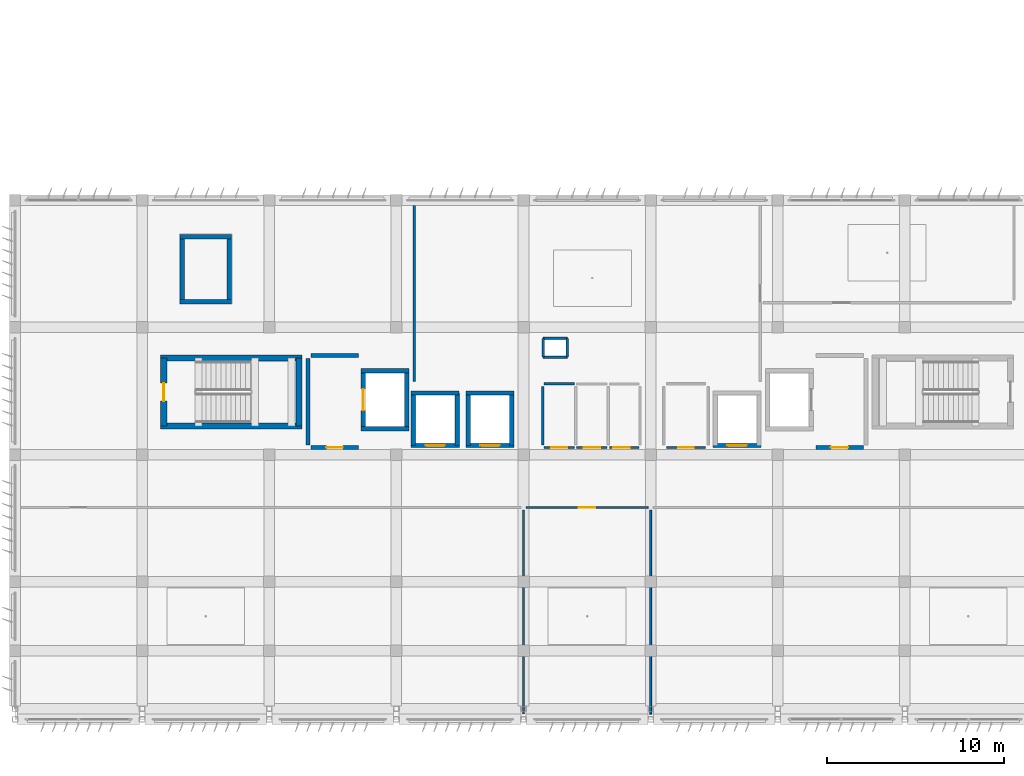
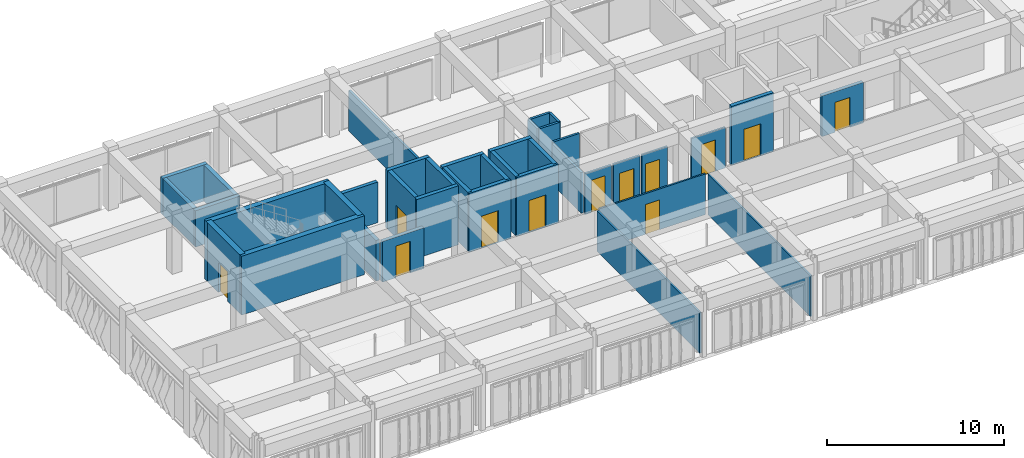
# One storey, part 34 of 53: 39 walls, 12 doors, 12 openings.
"""IFC4 building model written with IfcOpenShell, lengths in metres."""

from ifc_helpers import new_model, si_unit, direction, frame, frame_2d, origin, place, context, subcontext, project, spatial, rectangle, extrude, material, layer, layer_set, type_object, element, fill, save


model = new_model("IFC4")

# Units and contexts
model_context = context("Model", 3, precision=1e-05, world=origin(), true_north=direction((0.0, 1.0)))
body_context = subcontext(model_context, "Body", "Model", "MODEL_VIEW")
ifc_project = project(units=[si_unit("LENGTHUNIT", "METRE"), si_unit("AREAUNIT", "SQUARE_METRE"), si_unit("VOLUMEUNIT", "CUBIC_METRE"), si_unit("PLANEANGLEUNIT", "RADIAN"), si_unit("MASSUNIT", "GRAM", prefix="KILO")], contexts=[model_context])

# Site, building, storey
site_placement = place(None, origin())
site = spatial("IfcSite", under=ifc_project, at=site_placement, CompositionType="ELEMENT")
building_placement = place(site_placement, origin())
building = spatial("IfcBuilding", under=site, at=building_placement, Name="Kazehaya Institute of Natural Sciences", CompositionType="ELEMENT")
storey_placement = place(building_placement, frame((0.0, 0.0, 33.300048828125)))
storey = spatial("IfcBuildingStorey", under=building, at=storey_placement, Name="L07", CompositionType="ELEMENT", Elevation=33.300048828125)

# Walls
ifc_material_1 = material(Name="Concrete Fc42", Category="concrete")
ifc_layer_1 = layer(ifc_material_1, 0.35009765625, Name="Concrete Fc42", Category="concrete")
ifc_layer_set_1 = layer_set([ifc_layer_1], Name="Concrete Fc42")
wall_type_1 = type_object("IfcWallType", Name="WL-CORE-350", PredefinedType="SHEAR", material=ifc_layer_set_1)
for number, where, z_axis, x_axis, name in (
    (1, (70.85498046875, 22.820068359375, 0.0), (0.0, 0.0, 1.0), (-1.0, 0.0, 0.0), "L07 ST-1 core wall S"),
    (2, (62.844970703125, 26.659912109375, 0.0), (0.0, 0.0, 1.0), (1.0, 0.0, 0.0), "L07 ST-1 core wall N"),
):
    element("IfcWall", number, at=place(storey_placement, frame(where, z_axis=z_axis, x_axis=x_axis)), inside=storey, type_object=wall_type_1, Name=name, PredefinedType="SHEAR", context=body_context, shape_type="SweptSolid", body=[
        extrude(rectangle(XDim=8.010009765625, YDim=0.35009765625, at=frame_2d((4.0048828125, 0.0))), origin(), (0.0, 0.0, 1.0), 4.050048828125),
    ])

# Wall, opening, door
wall_1_placement = place(storey_placement, frame((63.02001953125, 22.820068359375, 0.0), z_axis=(0.0, 0.0, 1.0), x_axis=(0.0, 1.0, 0.0)))
wall_1 = element("IfcWall", 3, at=wall_1_placement, inside=storey, type_object=wall_type_1, Name="L07 ST-1 core wall W", PredefinedType="SHEAR", context=body_context, shape_type="SweptSolid", body=[
    extrude(rectangle(XDim=3.83984375, YDim=0.35009765625, at=frame_2d((1.919921875, 0.0))), origin(), (0.0, 0.0, 1.0), 4.050048828125),
])
opening_1_placement = place(wall_1_placement, frame((1.409912109375, 0.0, 0.0)))
opening_1 = element("IfcOpeningElement", 4, at=opening_1_placement, cuts=wall_1, Name="Opening D-ST-009", PredefinedType="OPENING", context=body_context, shape_type="SweptSolid", body=[
    extrude(rectangle(XDim=1.02001953125, YDim=2.06005859375, at=frame_2d((0.510009765625, 1.030029296875))), frame((0.0, 0.18505859375, 0.0), z_axis=(0.0, -1.0, 0.0), x_axis=(1.0, 0.0, 0.0)), (0.0, 0.0, 1.0), 0.3701171875),
])
ifc_material_2 = material(Name="Fire-rated steel acoustic door", Category="steel")
door_type_1 = type_object("IfcDoorType", Name="DT-FD-10", OperationType="NOTDEFINED", PredefinedType="DOOR", material=ifc_material_2)
door_1_placement = place(opening_1_placement, origin())
door_1 = element("IfcDoor", 5, at=door_1_placement, inside=storey, type_object=door_type_1, Name="L07 ST-1 stair enclosure door D-ST-009", OperationType="SINGLE_SWING_LEFT", OverallHeight=2.06005859375, OverallWidth=1.02001953125, PredefinedType="DOOR", context=body_context, shape_type="SweptSolid", body=[
    extrude(rectangle(XDim=1.02001953125, YDim=2.06005859375, at=frame_2d((0.510009765625, 1.030029296875))), frame((0.0, 0.02490234375, 0.0), z_axis=(0.0, -1.0, 0.0), x_axis=(1.0, 0.0, 0.0)), (0.0, 0.0, 1.0), 0.050048828125),
])
fill(opening_1, door_1)

# Wall
wall_2_placement = place(storey_placement, frame((70.679931640625, 26.659912109375, 0.0), z_axis=(0.0, 0.0, 1.0), x_axis=(0.0, -1.0, 0.0)))
element("IfcWall", 6, at=wall_2_placement, inside=storey, type_object=wall_type_1, Name="L07 ST-1 core wall E", PredefinedType="SHEAR", context=body_context, shape_type="SweptSolid", body=[
    extrude(rectangle(XDim=3.83984375, YDim=0.35009765625, at=frame_2d((1.919921875, 0.0))), origin(), (0.0, 0.0, 1.0), 4.050048828125),
])

# Wall, opening, door
ifc_material_3 = material(Name="Concrete Fc36", Category="concrete")
ifc_layer_2 = layer(ifc_material_3, 0.22998046875, Name="Concrete Fc36", Category="concrete")
ifc_layer_set_2 = layer_set([ifc_layer_2], Name="Concrete Fc36")
wall_type_2 = type_object("IfcWallType", Name="WL-FFL-230", PredefinedType="PARTITIONING", material=ifc_layer_set_2)
wall_3_placement = place(storey_placement, frame((74.050048828125, 21.60009765625, 0.0), z_axis=(0.0, 0.0, 1.0), x_axis=(-1.0, 0.0, 0.0)))
wall_3 = element("IfcWall", 7, at=wall_3_placement, inside=storey, type_object=wall_type_2, Name="L07 West Firefighting Lift Lobby partition IW-L07-0325", PredefinedType="PARTITIONING", context=body_context, shape_type="SweptSolid", body=[
    extrude(rectangle(XDim=2.699951171875, YDim=0.22998046875, at=frame_2d((1.35009765625, 0.0))), origin(), (0.0, 0.0, 1.0), 2.800048828125),
])
opening_2_placement = place(wall_3_placement, frame((0.8798828125, 0.0, 0.0)))
opening_2 = element("IfcOpeningElement", 8, at=opening_2_placement, cuts=wall_3, Name="Opening D-L07-0184", PredefinedType="OPENING", context=body_context, shape_type="SweptSolid", body=[
    extrude(rectangle(XDim=0.93994140625, YDim=2.179931640625, at=frame_2d((0.469970703125, 1.08984375))), frame((0.0, 0.125, 0.0), z_axis=(0.0, -1.0, 0.0), x_axis=(1.0, 0.0, 0.0)), (0.0, 0.0, 1.0), 0.25),
])
door_type_2 = type_object("IfcDoorType", Name="DT-FD-06", OperationType="NOTDEFINED", PredefinedType="DOOR", material=ifc_material_2)
door_2_placement = place(opening_2_placement, origin())
door_2 = element("IfcDoor", 9, at=door_2_placement, inside=storey, type_object=door_type_2, Name="L07 West Firefighting Lift Lobby door D-L07-0184", OperationType="SINGLE_SWING_LEFT", OverallHeight=2.179931640625, OverallWidth=0.93994140625, PredefinedType="DOOR", context=body_context, shape_type="SweptSolid", body=[
    extrude(rectangle(XDim=0.93994140625, YDim=2.179931640625, at=frame_2d((0.469970703125, 1.08984375))), frame((0.0, 0.02490234375, 0.0), z_axis=(0.0, -1.0, 0.0), x_axis=(1.0, 0.0, 0.0)), (0.0, 0.0, 1.0), 0.050048828125),
])
fill(opening_2, door_2)

# Walls
wall_4_placement = place(storey_placement, frame((71.35009765625, 26.800048828125, 0.0), z_axis=(0.0, 0.0, 1.0), x_axis=(1.0, 0.0, 0.0)))
element("IfcWall", 10, at=wall_4_placement, inside=storey, type_object=wall_type_2, Name="L07 West Firefighting Lift Lobby partition IW-L07-0326", PredefinedType="PARTITIONING", context=body_context, shape_type="SweptSolid", body=[
    extrude(rectangle(XDim=2.699951171875, YDim=0.22998046875, at=frame_2d((1.35009765625, 0.0))), origin(), (0.0, 0.0, 1.0), 2.800048828125),
])
wall_5_placement = place(storey_placement, frame((71.199951171875, 21.75, 0.0), z_axis=(0.0, 0.0, 1.0), x_axis=(0.0, 1.0, 0.0)))
element("IfcWall", 11, at=wall_5_placement, inside=storey, type_object=wall_type_2, Name="L07 West Firefighting Lift Lobby partition IW-L07-0327", PredefinedType="PARTITIONING", context=body_context, shape_type="SweptSolid", body=[
    extrude(rectangle(XDim=4.89990234375, YDim=0.22998046875, at=frame_2d((2.449951171875, 0.0))), origin(), (0.0, 0.0, 1.0), 2.800048828125),
])

# Wall, opening, door
wall_6_placement = place(storey_placement, frame((102.64990234375, 21.60009765625, 0.0), z_axis=(0.0, 0.0, 1.0), x_axis=(-1.0, 0.0, 0.0)))
wall_6 = element("IfcWall", 12, at=wall_6_placement, inside=storey, type_object=wall_type_2, Name="L07 East Firefighting Lift Lobby partition IW-L07-0328", PredefinedType="PARTITIONING", context=body_context, shape_type="SweptSolid", body=[
    extrude(rectangle(XDim=2.699951171875, YDim=0.22998046875, at=frame_2d((1.35009765625, 0.0))), origin(), (0.0, 0.0, 1.0), 2.800048828125),
])
opening_3_placement = place(wall_6_placement, frame((0.860107421875, 0.0, 0.0)))
opening_3 = element("IfcOpeningElement", 13, at=opening_3_placement, cuts=wall_6, Name="Opening D-L07-0185", PredefinedType="OPENING", context=body_context, shape_type="SweptSolid", body=[
    extrude(rectangle(XDim=0.97998046875, YDim=2.06005859375, at=frame_2d((0.489990234375, 1.030029296875))), frame((0.0, 0.125, 0.0), z_axis=(0.0, -1.0, 0.0), x_axis=(1.0, 0.0, 0.0)), (0.0, 0.0, 1.0), 0.25),
])
door_type_3 = type_object("IfcDoorType", Name="DT-FD-07", OperationType="NOTDEFINED", PredefinedType="DOOR", material=ifc_material_2)
door_3_placement = place(opening_3_placement, origin())
door_3 = element("IfcDoor", 14, at=door_3_placement, inside=storey, type_object=door_type_3, Name="L07 East Firefighting Lift Lobby door D-L07-0185", OperationType="SINGLE_SWING_RIGHT", OverallHeight=2.06005859375, OverallWidth=0.97998046875, PredefinedType="DOOR", context=body_context, shape_type="SweptSolid", body=[
    extrude(rectangle(XDim=0.97998046875, YDim=2.06005859375, at=frame_2d((0.489990234375, 1.030029296875))), frame((0.0, 0.02490234375, 0.0), z_axis=(0.0, -1.0, 0.0), x_axis=(1.0, 0.0, 0.0)), (0.0, 0.0, 1.0), 0.050048828125),
])
fill(opening_3, door_3)

ifc_material_4 = material(Name="Glazed office demountable partition")
ifc_layer_3 = layer(ifc_material_4, 0.110107421875, Name="Glazed office demountable partition")
ifc_layer_set_3 = layer_set([ifc_layer_3], Name="Glazed office demountable partition")
wall_type_3 = type_object("IfcWallType", Name="WL-PART-110", PredefinedType="PARTITIONING", material=ifc_layer_set_3)
wall_7_placement = place(storey_placement, frame((93.699951171875, 21.60009765625, 0.0), z_axis=(0.0, 0.0, 1.0), x_axis=(-1.0, 0.0, 0.0)))
wall_7 = element("IfcWall", 15, at=wall_7_placement, inside=storey, type_object=wall_type_3, Name="L07 Ostomate WC partition IW-L07-0341", PredefinedType="PARTITIONING", context=body_context, shape_type="SweptSolid", body=[
    extrude(rectangle(XDim=2.199951171875, YDim=0.110107421875, at=frame_2d((1.10009765625, 0.0))), origin(), (0.0, 0.0, 1.0), 2.800048828125),
])
opening_4_placement = place(wall_7_placement, frame((0.64990234375, 0.0, 0.0)))
opening_4 = element("IfcOpeningElement", 16, at=opening_4_placement, cuts=wall_7, Name="Opening D-L07-0189", PredefinedType="OPENING", context=body_context, shape_type="SweptSolid", body=[
    extrude(rectangle(XDim=0.89990234375, YDim=2.159912109375, at=frame_2d((0.449951171875, 1.080078125))), frame((0.0, 0.06494140625, 0.0), z_axis=(0.0, -1.0, 0.0), x_axis=(1.0, 0.0, 0.0)), (0.0, 0.0, 1.0), 0.130126953125),
])
ifc_material_5 = material(Name="Flush timber and aluminium laboratory door", Category="wood")
door_type_4 = type_object("IfcDoorType", Name="DT-INT-03", OperationType="NOTDEFINED", PredefinedType="DOOR", material=ifc_material_5)
door_4_placement = place(opening_4_placement, origin())
door_4 = element("IfcDoor", 17, at=door_4_placement, inside=storey, type_object=door_type_4, Name="L07 Ostomate WC door D-L07-0189", OperationType="SINGLE_SWING_RIGHT", OverallHeight=2.159912109375, OverallWidth=0.89990234375, PredefinedType="DOOR", context=body_context, shape_type="SweptSolid", body=[
    extrude(rectangle(XDim=0.89990234375, YDim=2.159912109375, at=frame_2d((0.449951171875, 1.080078125))), frame((0.0, 0.02490234375, 0.0), z_axis=(0.0, -1.0, 0.0), x_axis=(1.0, 0.0, 0.0)), (0.0, 0.0, 1.0), 0.050048828125),
])
fill(opening_4, door_4)

wall_8_placement = place(storey_placement, frame((83.550048828125, 18.199951171875, 0.0), z_axis=(0.0, 0.0, 1.0), x_axis=(1.0, 0.0, 0.0)))
wall_8 = element("IfcWall", 18, at=wall_8_placement, inside=storey, type_object=wall_type_3, Name="L07 Nanomaterials Wet Laboratory partition IW-L07-0347", PredefinedType="PARTITIONING", context=body_context, shape_type="SweptSolid", body=[
    extrude(rectangle(XDim=6.89990234375, YDim=0.110107421875, at=frame_2d((3.449951171875, 0.0))), origin(), (0.0, 0.0, 1.0), 2.800048828125),
])
opening_5_placement = place(wall_8_placement, frame((2.985107421875, 0.0, 0.0)))
opening_5 = element("IfcOpeningElement", 19, at=opening_5_placement, cuts=wall_8, Name="Opening D-L07-0191", PredefinedType="OPENING", context=body_context, shape_type="SweptSolid", body=[
    extrude(rectangle(XDim=0.929931640625, YDim=2.050048828125, at=frame_2d((0.46484375, 1.02490234375))), frame((0.0, 0.06494140625, 0.0), z_axis=(0.0, -1.0, 0.0), x_axis=(1.0, 0.0, 0.0)), (0.0, 0.0, 1.0), 0.130126953125),
])
door_type_5 = type_object("IfcDoorType", Name="DT-INT-05", OperationType="NOTDEFINED", PredefinedType="DOOR", material=ifc_material_5)
door_5_placement = place(opening_5_placement, origin())
door_5 = element("IfcDoor", 20, at=door_5_placement, inside=storey, type_object=door_type_5, Name="L07 Nanomaterials Wet Laboratory door D-L07-0191", OperationType="SINGLE_SWING_RIGHT", OverallHeight=2.050048828125, OverallWidth=0.929931640625, PredefinedType="DOOR", context=body_context, shape_type="SweptSolid", body=[
    extrude(rectangle(XDim=0.929931640625, YDim=2.050048828125, at=frame_2d((0.46484375, 1.02490234375))), frame((0.0, 0.02490234375, 0.0), z_axis=(0.0, -1.0, 0.0), x_axis=(1.0, 0.0, 0.0)), (0.0, 0.0, 1.0), 0.050048828125),
])
fill(opening_5, door_5)

# Wall
wall_9_placement = place(storey_placement, frame((90.60009765625, 18.050048828125, 0.0), z_axis=(0.0, 0.0, 1.0), x_axis=(0.0, -1.0, 0.0)))
element("IfcWall", 21, at=wall_9_placement, inside=storey, type_object=wall_type_3, Name="L07 Nanomaterials Wet Laboratory partition IW-L07-0348", PredefinedType="PARTITIONING", context=body_context, shape_type="SweptSolid", body=[
    extrude(rectangle(XDim=11.550048828125, YDim=0.110107421875, at=frame_2d((5.77490234375, 0.0))), origin(), (0.0, 0.0, 1.0), 2.800048828125),
])

# Wall, opening, door
ifc_material_6 = material(Name="Gypsum write-up office partition", Category="gypsum")
ifc_layer_4 = layer(ifc_material_6, 0.1201171875, Name="Gypsum write-up office partition", Category="gypsum")
ifc_layer_set_4 = layer_set([ifc_layer_4], Name="Gypsum write-up office partition")
wall_type_4 = type_object("IfcWallType", Name="WL-PART-120", PredefinedType="PARTITIONING", material=ifc_layer_set_4)
wall_10_placement = place(storey_placement, frame((89.93994140625, 21.60009765625, 0.0), z_axis=(0.0, 0.0, 1.0), x_axis=(-1.0, 0.0, 0.0)))
wall_10 = element("IfcWall", 22, at=wall_10_placement, inside=storey, type_object=wall_type_4, Name="L07 Accessible WC partition IW-L07-0338", PredefinedType="PARTITIONING", context=body_context, shape_type="SweptSolid", body=[
    extrude(rectangle(XDim=1.679931640625, YDim=0.1201171875, at=frame_2d((0.83984375, 0.0))), origin(), (0.0, 0.0, 1.0), 2.800048828125),
])
opening_6_placement = place(wall_10_placement, frame((0.52490234375, 0.0, 0.0)))
opening_6 = element("IfcOpeningElement", 23, at=opening_6_placement, cuts=wall_10, Name="Opening D-L07-0188", PredefinedType="OPENING", context=body_context, shape_type="SweptSolid", body=[
    extrude(rectangle(XDim=0.929931640625, YDim=2.10009765625, at=frame_2d((0.46484375, 1.050048828125))), frame((0.0, 0.070068359375, 0.0), z_axis=(0.0, -1.0, 0.0), x_axis=(1.0, 0.0, 0.0)), (0.0, 0.0, 1.0), 0.14013671875),
])
door_type_6 = type_object("IfcDoorType", Name="DT-INT-06", OperationType="NOTDEFINED", PredefinedType="DOOR", material=ifc_material_5)
door_6_placement = place(opening_6_placement, origin())
door_6 = element("IfcDoor", 24, at=door_6_placement, inside=storey, type_object=door_type_6, Name="L07 Accessible WC door D-L07-0188", OperationType="SINGLE_SWING_LEFT", OverallHeight=2.10009765625, OverallWidth=0.929931640625, PredefinedType="DOOR", context=body_context, shape_type="SweptSolid", body=[
    extrude(rectangle(XDim=0.929931640625, YDim=2.10009765625, at=frame_2d((0.46484375, 1.050048828125))), frame((0.0, 0.02490234375, 0.0), z_axis=(0.0, -1.0, 0.0), x_axis=(1.0, 0.0, 0.0)), (0.0, 0.0, 1.0), 0.050048828125),
])
fill(opening_6, door_6)

# Wall
wall_11_placement = place(storey_placement, frame((83.39990234375, 18.050048828125, 0.0), z_axis=(0.0, 0.0, 1.0), x_axis=(0.0, -1.0, 0.0)))
element("IfcWall", 25, at=wall_11_placement, inside=storey, type_object=wall_type_4, Name="L07 Catalysis Synthesis Laboratory partition IW-L07-0346", PredefinedType="PARTITIONING", context=body_context, shape_type="SweptSolid", body=[
    extrude(rectangle(XDim=11.550048828125, YDim=0.1201171875, at=frame_2d((5.77490234375, 0.0))), origin(), (0.0, 0.0, 1.0), 2.800048828125),
])

# Wall, opening, door
ifc_material_7 = material(Name="Moisture-resistant WC partition")
ifc_layer_5 = layer(ifc_material_7, 0.1298828125, Name="Moisture-resistant WC partition")
ifc_layer_set_5 = layer_set([ifc_layer_5], Name="Moisture-resistant WC partition")
wall_type_5 = type_object("IfcWallType", Name="WL-PART-130", PredefinedType="PARTITIONING", material=ifc_layer_set_5)
wall_12_placement = place(storey_placement, frame((88.139892578125, 21.60009765625, 0.0), z_axis=(0.0, 0.0, 1.0), x_axis=(-1.0, 0.0, 0.0)))
wall_12 = element("IfcWall", 26, at=wall_12_placement, inside=storey, type_object=wall_type_5, Name="L07 Female WC partition IW-L07-0335", PredefinedType="PARTITIONING", context=body_context, shape_type="SweptSolid", body=[
    extrude(rectangle(XDim=1.72998046875, YDim=0.1298828125, at=frame_2d((0.864990234375, 0.0))), origin(), (0.0, 0.0, 1.0), 2.800048828125),
])
opening_7_placement = place(wall_12_placement, frame((0.405029296875, 0.0, 0.0)))
opening_7 = element("IfcOpeningElement", 27, at=opening_7_placement, cuts=wall_12, Name="Opening D-L07-0187", PredefinedType="OPENING", context=body_context, shape_type="SweptSolid", body=[
    extrude(rectangle(XDim=0.929931640625, YDim=2.050048828125, at=frame_2d((0.46484375, 1.02490234375))), frame((0.0, 0.074951171875, 0.0), z_axis=(0.0, -1.0, 0.0), x_axis=(1.0, 0.0, 0.0)), (0.0, 0.0, 1.0), 0.14990234375),
])
door_7_placement = place(opening_7_placement, origin())
door_7 = element("IfcDoor", 28, at=door_7_placement, inside=storey, type_object=door_type_5, Name="L07 Female WC door D-L07-0187", OperationType="SINGLE_SWING_RIGHT", OverallHeight=2.050048828125, OverallWidth=0.929931640625, PredefinedType="DOOR", context=body_context, shape_type="SweptSolid", body=[
    extrude(rectangle(XDim=0.929931640625, YDim=2.050048828125, at=frame_2d((0.46484375, 1.02490234375))), frame((0.0, 0.02490234375, 0.0), z_axis=(0.0, -1.0, 0.0), x_axis=(1.0, 0.0, 0.0)), (0.0, 0.0, 1.0), 0.050048828125),
])
fill(opening_7, door_7)

ifc_material_8 = material(Name="Gypsum partition", Category="gypsum")
ifc_layer_6 = layer(ifc_material_8, 0.139892578125, Name="Gypsum partition", Category="gypsum")
ifc_layer_set_6 = layer_set([ifc_layer_6], Name="Gypsum partition")
wall_type_6 = type_object("IfcWallType", Name="WL-PART-140", PredefinedType="PARTITIONING", material=ifc_layer_set_6)
wall_13_placement = place(storey_placement, frame((86.2900390625, 21.60009765625, 0.0), z_axis=(0.0, 0.0, 1.0), x_axis=(-1.0, 0.0, 0.0)))
wall_13 = element("IfcWall", 29, at=wall_13_placement, inside=storey, type_object=wall_type_6, Name="L07 Male WC partition IW-L07-0331", PredefinedType="PARTITIONING", context=body_context, shape_type="SweptSolid", body=[
    extrude(rectangle(XDim=1.72998046875, YDim=0.139892578125, at=frame_2d((0.864990234375, 0.0))), origin(), (0.0, 0.0, 1.0), 2.800048828125),
])
opening_8_placement = place(wall_13_placement, frame((0.419921875, 0.0, 0.0)))
opening_8 = element("IfcOpeningElement", 30, at=opening_8_placement, cuts=wall_13, Name="Opening D-L07-0186", PredefinedType="OPENING", context=body_context, shape_type="SweptSolid", body=[
    extrude(rectangle(XDim=0.89990234375, YDim=2.219970703125, at=frame_2d((0.449951171875, 1.10986328125))), frame((0.0, 0.079833984375, 0.0), z_axis=(0.0, -1.0, 0.0), x_axis=(1.0, 0.0, 0.0)), (0.0, 0.0, 1.0), 0.159912109375),
])
door_type_7 = type_object("IfcDoorType", Name="DT-INT-04", OperationType="NOTDEFINED", PredefinedType="DOOR", material=ifc_material_5)
door_8_placement = place(opening_8_placement, origin())
door_8 = element("IfcDoor", 31, at=door_8_placement, inside=storey, type_object=door_type_7, Name="L07 Male WC door D-L07-0186", OperationType="SINGLE_SWING_LEFT", OverallHeight=2.219970703125, OverallWidth=0.89990234375, PredefinedType="DOOR", context=body_context, shape_type="SweptSolid", body=[
    extrude(rectangle(XDim=0.89990234375, YDim=2.219970703125, at=frame_2d((0.449951171875, 1.10986328125))), frame((0.0, 0.02490234375, 0.0), z_axis=(0.0, -1.0, 0.0), x_axis=(1.0, 0.0, 0.0)), (0.0, 0.0, 1.0), 0.050048828125),
])
fill(opening_8, door_8)

# Walls
wall_14_placement = place(storey_placement, frame((84.56005859375, 25.199951171875, 0.0), z_axis=(0.0, 0.0, 1.0), x_axis=(1.0, 0.0, 0.0)))
element("IfcWall", 32, at=wall_14_placement, inside=storey, type_object=wall_type_6, Name="L07 Male WC partition IW-L07-0332", PredefinedType="PARTITIONING", context=body_context, shape_type="SweptSolid", body=[
    extrude(rectangle(XDim=1.72998046875, YDim=0.139892578125, at=frame_2d((0.864990234375, 0.0))), origin(), (0.0, 0.0, 1.0), 2.800048828125),
])
wall_15_placement = place(storey_placement, frame((84.5, 21.75, 0.0), z_axis=(0.0, 0.0, 1.0), x_axis=(0.0, 1.0, 0.0)))
element("IfcWall", 33, at=wall_15_placement, inside=storey, type_object=wall_type_6, Name="L07 Male WC partition IW-L07-0333", PredefinedType="PARTITIONING", context=body_context, shape_type="SweptSolid", body=[
    extrude(rectangle(XDim=3.300048828125, YDim=0.139892578125, at=frame_2d((1.64990234375, 0.0))), origin(), (0.0, 0.0, 1.0), 2.800048828125),
])
wall_16_placement = place(storey_placement, frame((77.199951171875, 25.35009765625, 0.0), z_axis=(0.0, 0.0, 1.0), x_axis=(0.0, 1.0, 0.0)))
element("IfcWall", 34, at=wall_16_placement, inside=storey, type_object=wall_type_6, Name="L07 Photochemistry Laboratory partition IW-L07-0350", PredefinedType="PARTITIONING", context=body_context, shape_type="SweptSolid", body=[
    extrude(rectangle(XDim=9.949951171875, YDim=0.139892578125, at=frame_2d((4.97509765625, 0.0))), origin(), (0.0, 0.0, 1.0), 2.800048828125),
])
ifc_layer_7 = layer(ifc_material_3, 0.14990234375, Name="Concrete Fc36", Category="concrete")
ifc_layer_set_7 = layer_set([ifc_layer_7], Name="Concrete Fc36")
wall_type_7 = type_object("IfcWallType", Name="WL-RISER-150", PredefinedType="PARTITIONING", material=ifc_layer_set_7)
for number, where, z_axis, x_axis, name in (
    (35, (85.885009765625, 26.715087890625, 0.0), (0.0, 0.0, 1.0), (-1.0, 0.0, 0.0), "L07 fume exhaust riser shaft wall 45"),
    (36, (84.514892578125, 27.784912109375, 0.0), (0.0, 0.0, 1.0), (1.0, 0.0, 0.0), "L07 fume exhaust riser shaft wall 45"),
):
    element("IfcWall", number, at=place(storey_placement, frame(where, z_axis=z_axis, x_axis=x_axis)), inside=storey, type_object=wall_type_7, Name=name, PredefinedType="PARTITIONING", context=body_context, shape_type="SweptSolid", body=[
        extrude(rectangle(XDim=1.3701171875, YDim=0.14990234375, at=frame_2d((0.68505859375, 0.0))), origin(), (0.0, 0.0, 1.0), 2.800048828125),
    ])
for number, where, z_axis, x_axis, name in (
    (37, (84.514892578125, 26.715087890625, 0.0), (0.0, 0.0, 1.0), (0.0, 1.0, 0.0), "L07 fume exhaust riser shaft wall 45"),
    (38, (85.885009765625, 27.784912109375, 0.0), (0.0, 0.0, 1.0), (0.0, -1.0, 0.0), "L07 fume exhaust riser shaft wall 45"),
):
    element("IfcWall", number, at=place(storey_placement, frame(where, z_axis=z_axis, x_axis=x_axis)), inside=storey, type_object=wall_type_7, Name=name, PredefinedType="PARTITIONING", context=body_context, shape_type="SweptSolid", body=[
        extrude(rectangle(XDim=1.06982421875, YDim=0.14990234375, at=frame_2d((0.534912109375, 0.0))), origin(), (0.0, 0.0, 1.0), 2.800048828125),
    ])
ifc_layer_8 = layer(ifc_material_1, 0.25, Name="Concrete Fc42", Category="concrete")
ifc_layer_set_8 = layer_set([ifc_layer_8], Name="Concrete Fc42")
wall_type_8 = type_object("IfcWallType", Name="WL-SHAFT-250", PredefinedType="SHEAR", material=ifc_layer_set_8)
for number, where, z_axis, x_axis, name in (
    (39, (76.909912109375, 22.6650390625, 0.0), (0.0, 0.0, 1.0), (-1.0, 0.0, 0.0), "L07 EL07 lift shaft wall south"),
    (40, (74.18994140625, 25.93505859375, 0.0), (0.0, 0.0, 1.0), (1.0, 0.0, 0.0), "L07 EL07 lift shaft wall north"),
):
    element("IfcWall", number, at=place(storey_placement, frame(where, z_axis=z_axis, x_axis=x_axis)), inside=storey, type_object=wall_type_8, Name=name, PredefinedType="SHEAR", context=body_context, shape_type="SweptSolid", body=[
        extrude(rectangle(XDim=2.719970703125, YDim=0.25, at=frame_2d((1.35986328125, 0.0))), origin(), (0.0, 0.0, 1.0), 4.050048828125),
    ])

# Wall, opening, door
wall_17_placement = place(storey_placement, frame((74.31494140625, 22.6650390625, 0.0), z_axis=(0.0, 0.0, 1.0), x_axis=(0.0, 1.0, 0.0)))
wall_17 = element("IfcWall", 41, at=wall_17_placement, inside=storey, type_object=wall_type_8, Name="L07 EL07 lift shaft wall west", PredefinedType="SHEAR", context=body_context, shape_type="SweptSolid", body=[
    extrude(rectangle(XDim=3.27001953125, YDim=0.25, at=frame_2d((1.635009765625, 0.0))), origin(), (0.0, 0.0, 1.0), 4.050048828125),
])
opening_9_placement = place(wall_17_placement, frame((1.034912109375, 0.0, 0.0)))
opening_9 = element("IfcOpeningElement", 42, at=opening_9_placement, cuts=wall_17, Name="Opening LD-09", PredefinedType="OPENING", context=body_context, shape_type="SweptSolid", body=[
    extrude(rectangle(XDim=1.199951171875, YDim=2.25, at=frame_2d((0.60009765625, 1.125))), frame((0.0, 0.135009765625, 0.0), z_axis=(0.0, -1.0, 0.0), x_axis=(1.0, 0.0, 0.0)), (0.0, 0.0, 1.0), 0.27001953125),
])
ifc_material_9 = material(Name="Stainless-steel emergency lift landing door", Category="steel")
door_type_8 = type_object("IfcDoorType", Name="DT-LD-1200x2250", OperationType="SLIDING_TO_LEFT", PredefinedType="DOOR", material=ifc_material_9)
door_9_placement = place(opening_9_placement, origin())
door_9 = element("IfcDoor", 43, at=door_9_placement, inside=storey, type_object=door_type_8, Name="L07 EL07 sliding landing door LD-09", OperationType="SLIDING_TO_LEFT", OverallHeight=2.25, OverallWidth=1.199951171875, PredefinedType="DOOR", context=body_context, shape_type="SweptSolid", body=[
    extrude(rectangle(XDim=1.199951171875, YDim=2.25, at=frame_2d((0.60009765625, 1.125))), frame((0.0, 0.02490234375, 0.0), z_axis=(0.0, -1.0, 0.0), x_axis=(1.0, 0.0, 0.0)), (0.0, 0.0, 1.0), 0.050048828125),
])
fill(opening_9, door_9)

# Wall
wall_18_placement = place(storey_placement, frame((76.784912109375, 25.93505859375, 0.0), z_axis=(0.0, 0.0, 1.0), x_axis=(0.0, -1.0, 0.0)))
element("IfcWall", 44, at=wall_18_placement, inside=storey, type_object=wall_type_8, Name="L07 EL07 lift shaft wall east", PredefinedType="SHEAR", context=body_context, shape_type="SweptSolid", body=[
    extrude(rectangle(XDim=3.27001953125, YDim=0.25, at=frame_2d((1.635009765625, 0.0))), origin(), (0.0, 0.0, 1.0), 4.050048828125),
])

# Wall, opening, door
wall_19_placement = place(storey_placement, frame((79.760009765625, 21.715087890625, 0.0), z_axis=(0.0, 0.0, 1.0), x_axis=(-1.0, 0.0, 0.0)))
wall_19 = element("IfcWall", 45, at=wall_19_placement, inside=storey, type_object=wall_type_8, Name="L07 EL01 lift shaft wall south", PredefinedType="SHEAR", context=body_context, shape_type="SweptSolid", body=[
    extrude(rectangle(XDim=2.719970703125, YDim=0.25, at=frame_2d((1.35986328125, 0.0))), origin(), (0.0, 0.0, 1.0), 4.050048828125),
])
opening_10_placement = place(wall_19_placement, frame((0.81005859375, 0.0, 0.0)))
opening_10 = element("IfcOpeningElement", 46, at=opening_10_placement, cuts=wall_19, Name="Opening LD-31", PredefinedType="OPENING", context=body_context, shape_type="SweptSolid", body=[
    extrude(rectangle(XDim=1.10009765625, YDim=2.199951171875, at=frame_2d((0.550048828125, 1.10009765625))), frame((0.0, 0.135009765625, 0.0), z_axis=(0.0, -1.0, 0.0), x_axis=(1.0, 0.0, 0.0)), (0.0, 0.0, 1.0), 0.27001953125),
])
ifc_material_10 = material(Name="Stainless-steel sliding landing door", Category="steel")
door_type_9 = type_object("IfcDoorType", Name="DT-LD-1100x2200", OperationType="SLIDING_TO_LEFT", PredefinedType="DOOR", material=ifc_material_10)
door_10_placement = place(opening_10_placement, origin())
door_10 = element("IfcDoor", 47, at=door_10_placement, inside=storey, type_object=door_type_9, Name="L07 EL01 sliding landing door LD-31", OperationType="SLIDING_TO_LEFT", OverallHeight=2.199951171875, OverallWidth=1.10009765625, PredefinedType="DOOR", context=body_context, shape_type="SweptSolid", body=[
    extrude(rectangle(XDim=1.10009765625, YDim=2.199951171875, at=frame_2d((0.550048828125, 1.10009765625))), frame((0.0, 0.02490234375, 0.0), z_axis=(0.0, -1.0, 0.0), x_axis=(1.0, 0.0, 0.0)), (0.0, 0.0, 1.0), 0.050048828125),
])
fill(opening_10, door_10)

# Walls
wall_20_placement = place(storey_placement, frame((77.0400390625, 24.68505859375, 0.0), z_axis=(0.0, 0.0, 1.0), x_axis=(1.0, 0.0, 0.0)))
element("IfcWall", 48, at=wall_20_placement, inside=storey, type_object=wall_type_8, Name="L07 EL01 lift shaft wall north", PredefinedType="SHEAR", context=body_context, shape_type="SweptSolid", body=[
    extrude(rectangle(XDim=2.719970703125, YDim=0.25, at=frame_2d((1.35986328125, 0.0))), origin(), (0.0, 0.0, 1.0), 4.050048828125),
])
for number, where, z_axis, x_axis, name in (
    (49, (77.1650390625, 21.715087890625, 0.0), (0.0, 0.0, 1.0), (0.0, 1.0, 0.0), "L07 EL01 lift shaft wall west"),
    (50, (79.635009765625, 24.68505859375, 0.0), (0.0, 0.0, 1.0), (0.0, -1.0, 0.0), "L07 EL01 lift shaft wall east"),
):
    element("IfcWall", number, at=place(storey_placement, frame(where, z_axis=z_axis, x_axis=x_axis)), inside=storey, type_object=wall_type_8, Name=name, PredefinedType="SHEAR", context=body_context, shape_type="SweptSolid", body=[
        extrude(rectangle(XDim=2.969970703125, YDim=0.25, at=frame_2d((1.48486328125, 0.0))), origin(), (0.0, 0.0, 1.0), 4.050048828125),
    ])

# Wall, opening, door
wall_21_placement = place(storey_placement, frame((82.860107421875, 21.715087890625, 0.0), z_axis=(0.0, 0.0, 1.0), x_axis=(-1.0, 0.0, 0.0)))
wall_21 = element("IfcWall", 51, at=wall_21_placement, inside=storey, type_object=wall_type_8, Name="L07 EL02 lift shaft wall south", PredefinedType="SHEAR", context=body_context, shape_type="SweptSolid", body=[
    extrude(rectangle(XDim=2.72021484375, YDim=0.25, at=frame_2d((1.360107421875, 0.0))), origin(), (0.0, 0.0, 1.0), 4.050048828125),
])
opening_11_placement = place(wall_21_placement, frame((0.81005859375, 0.0, 0.0)))
opening_11 = element("IfcOpeningElement", 52, at=opening_11_placement, cuts=wall_21, Name="Opening LD-42", PredefinedType="OPENING", context=body_context, shape_type="SweptSolid", body=[
    extrude(rectangle(XDim=1.10009765625, YDim=2.199951171875, at=frame_2d((0.550048828125, 1.10009765625))), frame((0.0, 0.135009765625, 0.0), z_axis=(0.0, -1.0, 0.0), x_axis=(1.0, 0.0, 0.0)), (0.0, 0.0, 1.0), 0.27001953125),
])
door_11_placement = place(opening_11_placement, origin())
door_11 = element("IfcDoor", 53, at=door_11_placement, inside=storey, type_object=door_type_9, Name="L07 EL02 sliding landing door LD-42", OperationType="SLIDING_TO_LEFT", OverallHeight=2.199951171875, OverallWidth=1.10009765625, PredefinedType="DOOR", context=body_context, shape_type="SweptSolid", body=[
    extrude(rectangle(XDim=1.10009765625, YDim=2.199951171875, at=frame_2d((0.550048828125, 1.10009765625))), frame((0.0, 0.02490234375, 0.0), z_axis=(0.0, -1.0, 0.0), x_axis=(1.0, 0.0, 0.0)), (0.0, 0.0, 1.0), 0.050048828125),
])
fill(opening_11, door_11)

# Walls
wall_22_placement = place(storey_placement, frame((80.139892578125, 24.68505859375, 0.0), z_axis=(0.0, 0.0, 1.0), x_axis=(1.0, 0.0, 0.0)))
element("IfcWall", 54, at=wall_22_placement, inside=storey, type_object=wall_type_8, Name="L07 EL02 lift shaft wall north", PredefinedType="SHEAR", context=body_context, shape_type="SweptSolid", body=[
    extrude(rectangle(XDim=2.72021484375, YDim=0.25, at=frame_2d((1.360107421875, 0.0))), origin(), (0.0, 0.0, 1.0), 4.050048828125),
])
for number, where, z_axis, x_axis, name in (
    (55, (80.264892578125, 21.715087890625, 0.0), (0.0, 0.0, 1.0), (0.0, 1.0, 0.0), "L07 EL02 lift shaft wall west"),
    (56, (82.735107421875, 24.68505859375, 0.0), (0.0, 0.0, 1.0), (0.0, -1.0, 0.0), "L07 EL02 lift shaft wall east"),
):
    element("IfcWall", number, at=place(storey_placement, frame(where, z_axis=z_axis, x_axis=x_axis)), inside=storey, type_object=wall_type_8, Name=name, PredefinedType="SHEAR", context=body_context, shape_type="SweptSolid", body=[
        extrude(rectangle(XDim=2.969970703125, YDim=0.25, at=frame_2d((1.48486328125, 0.0))), origin(), (0.0, 0.0, 1.0), 4.050048828125),
    ])

# Wall, opening, door
wall_23_placement = place(storey_placement, frame((96.860107421875, 21.715087890625, 0.0), z_axis=(0.0, 0.0, 1.0), x_axis=(-1.0, 0.0, 0.0)))
wall_23 = element("IfcWall", 57, at=wall_23_placement, inside=storey, type_object=wall_type_8, Name="L07 EL03 lift shaft wall south", PredefinedType="SHEAR", context=body_context, shape_type="SweptSolid", body=[
    extrude(rectangle(XDim=2.72021484375, YDim=0.25, at=frame_2d((1.360107421875, 0.0))), origin(), (0.0, 0.0, 1.0), 4.050048828125),
])
opening_12_placement = place(wall_23_placement, frame((0.81005859375, 0.0, 0.0)))
opening_12 = element("IfcOpeningElement", 58, at=opening_12_placement, cuts=wall_23, Name="Opening LD-53", PredefinedType="OPENING", context=body_context, shape_type="SweptSolid", body=[
    extrude(rectangle(XDim=1.10009765625, YDim=2.199951171875, at=frame_2d((0.550048828125, 1.10009765625))), frame((0.0, 0.135009765625, 0.0), z_axis=(0.0, -1.0, 0.0), x_axis=(1.0, 0.0, 0.0)), (0.0, 0.0, 1.0), 0.27001953125),
])
door_12_placement = place(opening_12_placement, origin())
door_12 = element("IfcDoor", 59, at=door_12_placement, inside=storey, type_object=door_type_9, Name="L07 EL03 sliding landing door LD-53", OperationType="SLIDING_TO_LEFT", OverallHeight=2.199951171875, OverallWidth=1.10009765625, PredefinedType="DOOR", context=body_context, shape_type="SweptSolid", body=[
    extrude(rectangle(XDim=1.10009765625, YDim=2.199951171875, at=frame_2d((0.550048828125, 1.10009765625))), frame((0.0, 0.02490234375, 0.0), z_axis=(0.0, -1.0, 0.0), x_axis=(1.0, 0.0, 0.0)), (0.0, 0.0, 1.0), 0.050048828125),
])
fill(opening_12, door_12)

# Walls
for number, where, z_axis, x_axis, name in (
    (60, (66.860107421875, 29.864990234375, 0.0), (0.0, 0.0, 1.0), (-1.0, 0.0, 0.0), "L07 EL06 lift overrun enclosure south"),
    (61, (63.93994140625, 33.534912109375, 0.0), (0.0, 0.0, 1.0), (1.0, 0.0, 0.0), "L07 EL06 lift overrun enclosure north"),
):
    element("IfcWall", number, at=place(storey_placement, frame(where, z_axis=z_axis, x_axis=x_axis)), inside=storey, type_object=wall_type_8, Name=name, PredefinedType="SHEAR", context=body_context, shape_type="SweptSolid", body=[
        extrude(rectangle(XDim=2.920166015625, YDim=0.25, at=frame_2d((1.4599609375, 0.0))), origin(), (0.0, 0.0, 1.0), 2.5),
    ])
for number, where, z_axis, x_axis, name in (
    (62, (64.06494140625, 29.864990234375, 0.0), (0.0, 0.0, 1.0), (0.0, 1.0, 0.0), "L07 EL06 lift overrun enclosure west"),
    (63, (66.735107421875, 33.534912109375, 0.0), (0.0, 0.0, 1.0), (0.0, -1.0, 0.0), "L07 EL06 lift overrun enclosure east"),
):
    element("IfcWall", number, at=place(storey_placement, frame(where, z_axis=z_axis, x_axis=x_axis)), inside=storey, type_object=wall_type_8, Name=name, PredefinedType="SHEAR", context=body_context, shape_type="SweptSolid", body=[
        extrude(rectangle(XDim=3.669921875, YDim=0.25, at=frame_2d((1.8349609375, 0.0))), origin(), (0.0, 0.0, 1.0), 2.5),
    ])

save(model, "model.ifc")
